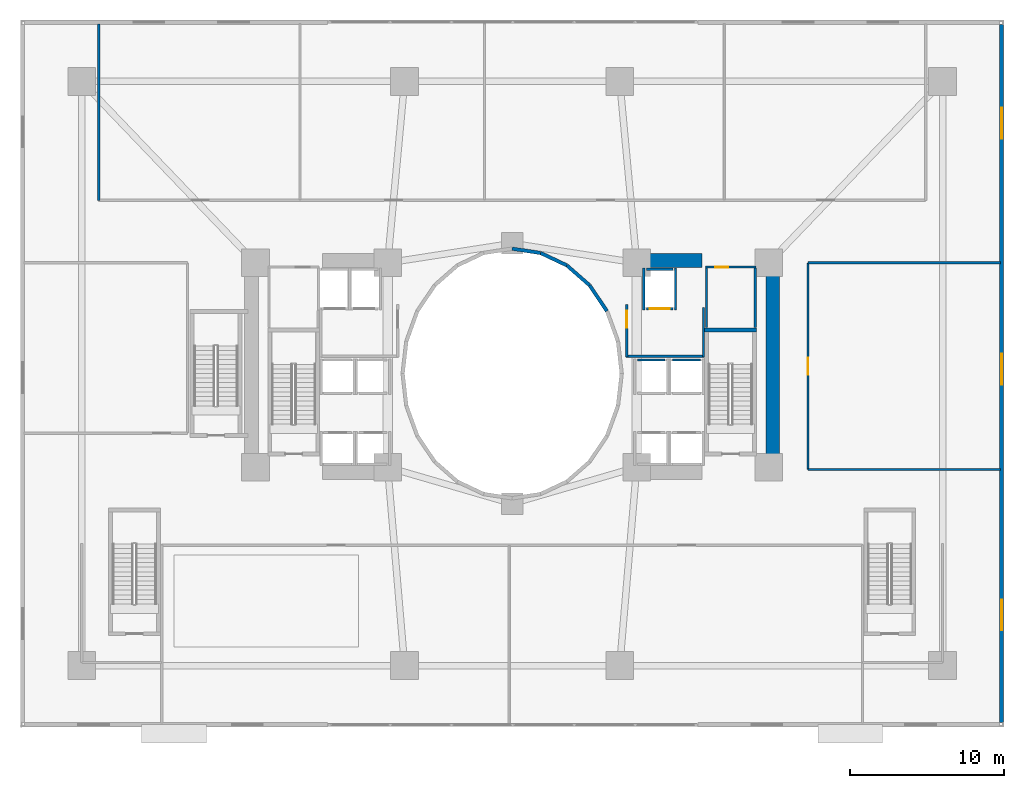
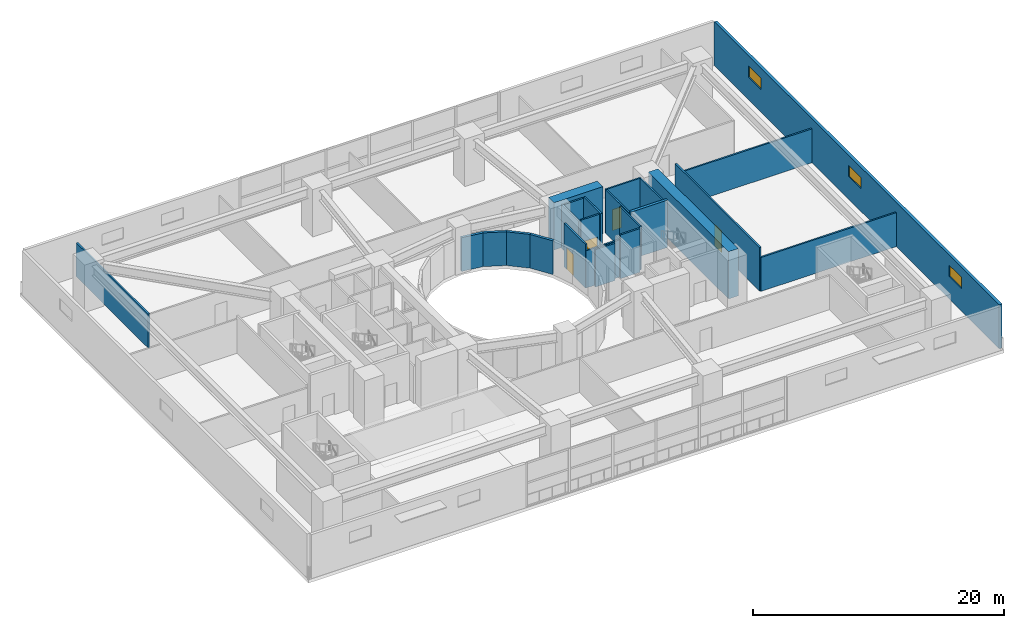
# One storey, part 13 of 20: 24 walls, 4 doors, 3 windows, 7 openings.
"""IFC4 building model written with IfcOpenShell, lengths in metres."""

from ifc_helpers import new_model, si_unit, direction, frame, frame_2d, origin, place, context, subcontext, project, spatial, rectangle, extrude, material, layer, layer_set, type_object, element, fill, save


model = new_model("IFC4")

# Units and contexts
model_context = context("Model", 3, precision=1e-05, world=origin(), true_north=direction((0.0, 1.0)))
body_context = subcontext(model_context, "Body", "Model", "MODEL_VIEW")
ifc_project = project(units=[si_unit("LENGTHUNIT", "METRE"), si_unit("AREAUNIT", "SQUARE_METRE"), si_unit("VOLUMEUNIT", "CUBIC_METRE"), si_unit("PLANEANGLEUNIT", "RADIAN"), si_unit("MASSUNIT", "GRAM", prefix="KILO")], contexts=[model_context])

# Site, building, storey
site_placement = place(None, origin())
site = spatial("IfcSite", under=ifc_project, at=site_placement, CompositionType="ELEMENT")
building_placement = place(site_placement, origin())
building = spatial("IfcBuilding", under=site, at=building_placement, Name="Solvane Sanctuary Tower", CompositionType="ELEMENT")
storey_placement = place(building_placement, frame((0.0, 0.0, 18.39990234375)))
storey = spatial("IfcBuildingStorey", under=building, at=storey_placement, Name="L05", CompositionType="ELEMENT", Elevation=18.39990234375)

# Walls
ifc_material_1 = material(Name="Concrete C70/85", Category="concrete")
ifc_layer_1 = layer(ifc_material_1, 0.89990234375, Name="Concrete C70/85")
ifc_layer_set_1 = layer_set([ifc_layer_1], Name="Concrete C70/85")
wall_type_1 = type_object("IfcWallType", Name="Wall W-CORE-900", PredefinedType="SHEAR", material=ifc_layer_set_1)
wall_1_placement = place(storey_placement, frame((48.949951171875, 17.050048828125, 0.0), z_axis=(0.0, 0.0, 1.0), x_axis=(0.0, 1.0, 0.0)))
element("IfcWall", 1, at=wall_1_placement, inside=storey, type_object=wall_type_1, Name="L05 Core Shear Wall EC-E", PredefinedType="SHEAR", context=body_context, shape_type="SweptSolid", body=[
    extrude(rectangle(XDim=12.800048828125, YDim=0.89990234375, at=frame_2d((6.39990234375, 0.0))), origin(), (0.0, 0.0, 1.0), 4.60009765625),
])
wall_2_placement = place(storey_placement, frame((39.85009765625, 30.35009765625, 0.0), z_axis=(0.0, 0.0, 1.0), x_axis=(1.0, 0.0, 0.0)))
element("IfcWall", 2, at=wall_2_placement, inside=storey, type_object=wall_type_1, Name="L05 Core Shear Wall EC-N", PredefinedType="SHEAR", context=body_context, shape_type="SweptSolid", body=[
    extrude(rectangle(XDim=4.5, YDim=0.89990234375, at=frame_2d((2.25, 0.0))), origin(), (0.0, 0.0, 1.0), 4.60009765625),
])
ifc_material_2 = material(Name="Acoustic Gypsum Partition Board")
ifc_layer_2 = layer(ifc_material_2, 0.14990234375, Name="Acoustic Gypsum Partition Board")
ifc_layer_set_2 = layer_set([ifc_layer_2], Name="Acoustic Gypsum Partition Board")
wall_type_2 = type_object("IfcWallType", Name="Wall W-CORR-150", PredefinedType="PARTITIONING", material=ifc_layer_set_2)
wall_3_placement = place(storey_placement, frame((39.39990234375, 24.1201171875, 0.0), z_axis=(0.0, 0.0, 1.0), x_axis=(1.0, 0.0, 0.0)))
element("IfcWall", 3, at=wall_3_placement, inside=storey, type_object=wall_type_2, Name="L05 East Firefighting Lobby South Wall", PredefinedType="PARTITIONING", context=body_context, shape_type="SweptSolid", body=[
    extrude(rectangle(XDim=5.080078125, YDim=0.14990234375, at=frame_2d((2.5400390625, 0.0))), origin(), (0.0, 0.0, 1.0), 3.6201171875),
])
wall_4_placement = place(storey_placement, frame((44.449951171875, 24.080078125, 0.0), z_axis=(0.0, 0.0, 1.0), x_axis=(0.0, 1.0, 0.0)))
element("IfcWall", 4, at=wall_4_placement, inside=storey, type_object=wall_type_2, Name="L05 East Firefighting Lobby East Wall", PredefinedType="PARTITIONING", context=body_context, shape_type="SweptSolid", body=[
    extrude(rectangle(XDim=3.199951171875, YDim=0.14990234375, at=frame_2d((1.60009765625, 0.0))), origin(), (0.0, 0.0, 1.0), 4.255126953125),
])

# Wall, opening, door
wall_5_placement = place(storey_placement, frame((39.449951171875, 24.080078125, 0.0), z_axis=(0.0, 0.0, 1.0), x_axis=(0.0, 1.0, 0.0)))
wall_5 = element("IfcWall", 5, at=wall_5_placement, inside=storey, type_object=wall_type_2, Name="L05 East Firefighting Lobby West Wall", PredefinedType="PARTITIONING", context=body_context, shape_type="SweptSolid", body=[
    extrude(rectangle(XDim=3.39990234375, YDim=0.14990234375, at=frame_2d((1.699951171875, 0.0))), origin(), (0.0, 0.0, 1.0), 4.255126953125),
])
opening_1_placement = place(wall_5_placement, frame((1.893798828125, 0.0, 0.0)))
opening_1 = element("IfcOpeningElement", 6, at=opening_1_placement, cuts=wall_5, Name="Opening D-L05-07", PredefinedType="OPENING", context=body_context, shape_type="SweptSolid", body=[
    extrude(rectangle(XDim=1.10009765625, YDim=2.10009765625, at=frame_2d((0.550048828125, 1.050048828125))), frame((0.0, 0.0849609375, 0.0), z_axis=(0.0, -1.0, 0.0), x_axis=(1.0, 0.0, 0.0)), (0.0, 0.0, 1.0), 0.169921875),
])
ifc_material_3 = material(Name="Architectural Stainless Steel 316", Category="steel")
door_type_1 = type_object("IfcDoorType", Name="Door D-FFL", OperationType="NOTDEFINED", PredefinedType="DOOR", material=ifc_material_3)
door_1_placement = place(opening_1_placement, origin())
door_1 = element("IfcDoor", 7, at=door_1_placement, inside=storey, type_object=door_type_1, Name="L05 East Firefighting Lobby Fire Door", OperationType="SINGLE_SWING_LEFT", OverallHeight=2.10009765625, OverallWidth=1.10009765625, PredefinedType="DOOR", context=body_context, shape_type="SweptSolid", body=[
    extrude(rectangle(XDim=1.10009765625, YDim=2.10009765625, at=frame_2d((0.550048828125, 1.050048828125))), frame((0.0, 0.02490234375, 0.0), z_axis=(0.0, -1.0, 0.0), x_axis=(1.0, 0.0, 0.0)), (0.0, 0.0, 1.0), 0.050048828125),
])
fill(opening_1, door_1)

# Wall
wall_6_placement = place(storey_placement, frame((5.10009765625, 34.27001953125, 0.0), z_axis=(0.0, 0.0, 1.0), x_axis=(0.0, 1.0, 0.0)))
element("IfcWall", 8, at=wall_6_placement, inside=storey, type_object=wall_type_2, Name="L05 North Hall West Wall", PredefinedType="PARTITIONING", context=body_context, shape_type="SweptSolid", body=[
    extrude(rectangle(XDim=11.47998046875, YDim=0.14990234375, at=frame_2d((5.739990234375, 0.0))), origin(), (0.0, 0.0, 1.0), 3.300048828125),
])

# Wall, opening, door
wall_7_placement = place(storey_placement, frame((51.25, 16.75, 0.0), z_axis=(0.0, 0.0, 1.0), x_axis=(0.0, 1.0, 0.0)))
wall_7 = element("IfcWall", 9, at=wall_7_placement, inside=storey, type_object=wall_type_2, Name="L05 East Sanctuary Corridor Wall", PredefinedType="PARTITIONING", context=body_context, shape_type="SweptSolid", body=[
    extrude(rectangle(XDim=13.449951171875, YDim=0.14990234375, at=frame_2d((6.72509765625, 0.0))), origin(), (0.0, 0.0, 1.0), 4.255126953125),
])
opening_2_placement = place(wall_7_placement, frame((6.175048828125, 0.0, 0.0)))
opening_2 = element("IfcOpeningElement", 10, at=opening_2_placement, cuts=wall_7, Name="Opening D-L05-14", PredefinedType="OPENING", context=body_context, shape_type="SweptSolid", body=[
    extrude(rectangle(XDim=1.10009765625, YDim=2.10009765625, at=frame_2d((0.550048828125, 1.050048828125))), frame((0.0, 0.0849609375, 0.0), z_axis=(0.0, -1.0, 0.0), x_axis=(1.0, 0.0, 0.0)), (0.0, 0.0, 1.0), 0.169921875),
])
door_2_placement = place(opening_2_placement, origin())
door_2 = element("IfcDoor", 11, at=door_2_placement, inside=storey, type_object=door_type_1, Name="L05 SACR Office Door", OperationType="SINGLE_SWING_RIGHT", OverallHeight=2.10009765625, OverallWidth=1.10009765625, PredefinedType="DOOR", context=body_context, shape_type="SweptSolid", body=[
    extrude(rectangle(XDim=1.10009765625, YDim=2.10009765625, at=frame_2d((0.550048828125, 1.050048828125))), frame((0.0, 0.02490234375, 0.0), z_axis=(0.0, -1.0, 0.0), x_axis=(1.0, 0.0, 0.0)), (0.0, 0.0, 1.0), 0.050048828125),
])
fill(opening_2, door_2)

# Walls
for number, where, z_axis, x_axis, name in (
    (12, (51.25, 16.75, 0.0), (0.0, 0.0, 1.0), (1.0, 0.0, 0.0), "L05 East Sanctuary South Wall"),
    (13, (51.25, 30.199951171875, 0.0), (0.0, 0.0, 1.0), (1.0, 0.0, 0.0), "L05 East Sanctuary North Wall"),
):
    element("IfcWall", number, at=place(storey_placement, frame(where, z_axis=z_axis, x_axis=x_axis)), inside=storey, type_object=wall_type_2, Name=name, PredefinedType="PARTITIONING", context=body_context, shape_type="SweptSolid", body=[
        extrude(rectangle(XDim=12.530029296875, YDim=0.14990234375, at=frame_2d((6.26513671875, 0.0))), origin(), (0.0, 0.0, 1.0), 3.300048828125),
    ])

# Wall, openings, windows
ifc_material_4 = material(Name="Precast concrete C40/50", Category="concrete")
ifc_layer_3 = layer(ifc_material_4, 0.260009765625, Name="Precast concrete C40/50")
ifc_layer_set_3 = layer_set([ifc_layer_3], Name="Precast concrete C40/50")
wall_type_3 = type_object("IfcWallType", Name="Wall W-EXT-250", PredefinedType="STANDARD", material=ifc_layer_set_3)
wall_8_placement = place(storey_placement, frame((63.85009765625, 0.280029296875, 0.0), z_axis=(0.0, 0.0, 1.0), x_axis=(0.0, 1.0, 0.0)))
wall_8 = element("IfcWall", 14, at=wall_8_placement, inside=storey, type_object=wall_type_3, Name="L05 Podium Facade Wall E1", PredefinedType="STANDARD", context=body_context, shape_type="SweptSolid", body=[
    extrude(rectangle(XDim=45.43994140625, YDim=0.260009765625, at=frame_2d((22.719970703125, 0.0))), origin(), (0.0, 0.0, 1.0), 4.280029296875),
])
opening_3_placement = place(wall_8_placement, frame((6.0, 0.0, 2.199951171875)))
opening_3 = element("IfcOpeningElement", 15, at=opening_3_placement, cuts=wall_8, Name="Opening WN-CLER-2000", PredefinedType="OPENING", context=body_context, shape_type="SweptSolid", body=[
    extrude(rectangle(XDim=2.0, YDim=1.10009765625, at=frame_2d((1.0, 0.550048828125))), frame((0.0, 0.139892578125, 0.0), z_axis=(0.0, -1.0, 0.0), x_axis=(1.0, 0.0, 0.0)), (0.0, 0.0, 1.0), 0.280029296875),
])
opening_4_placement = place(wall_8_placement, frame((22.0, 0.0, 2.199951171875)))
opening_4 = element("IfcOpeningElement", 16, at=opening_4_placement, cuts=wall_8, Name="Opening WN-CLER-2000", PredefinedType="OPENING", context=body_context, shape_type="SweptSolid", body=[
    extrude(rectangle(XDim=2.0, YDim=1.10009765625, at=frame_2d((1.0, 0.550048828125))), frame((0.0, 0.139892578125, 0.0), z_axis=(0.0, -1.0, 0.0), x_axis=(1.0, 0.0, 0.0)), (0.0, 0.0, 1.0), 0.280029296875),
])
opening_5_placement = place(wall_8_placement, frame((38.0, 0.0, 2.199951171875)))
opening_5 = element("IfcOpeningElement", 17, at=opening_5_placement, cuts=wall_8, Name="Opening WN-CLER-2000", PredefinedType="OPENING", context=body_context, shape_type="SweptSolid", body=[
    extrude(rectangle(XDim=2.0, YDim=1.10009765625, at=frame_2d((1.0, 0.550048828125))), frame((0.0, 0.139892578125, 0.0), z_axis=(0.0, -1.0, 0.0), x_axis=(1.0, 0.0, 0.0)), (0.0, 0.0, 1.0), 0.280029296875),
])
ifc_material_5 = material(Name="Dark Ceramic-Fritted Low-E Glass", Category="glass")
window_type = type_object("IfcWindowType", Name="Window WN-CLER-2000", PartitioningType="SINGLE_PANEL", PredefinedType="WINDOW", material=ifc_material_5)
window_1_placement = place(opening_3_placement, origin())
window_1 = element("IfcWindow", 18, at=window_1_placement, inside=storey, type_object=window_type, Name="L05 Podium Window E1-6", OverallHeight=1.10009765625, OverallWidth=2.0, PartitioningType="SINGLE_PANEL", PredefinedType="WINDOW", context=body_context, shape_type="SweptSolid", body=[
    extrude(rectangle(XDim=2.0, YDim=1.10009765625, at=frame_2d((1.0, 0.550048828125))), frame((0.0, 0.030029296875, 0.0), z_axis=(0.0, -1.0, 0.0), x_axis=(1.0, 0.0, 0.0)), (0.0, 0.0, 1.0), 0.06005859375),
])
fill(opening_3, window_1)
window_2_placement = place(opening_4_placement, origin())
window_2 = element("IfcWindow", 19, at=window_2_placement, inside=storey, type_object=window_type, Name="L05 Podium Window E1-22", OverallHeight=1.10009765625, OverallWidth=2.0, PartitioningType="SINGLE_PANEL", PredefinedType="WINDOW", context=body_context, shape_type="SweptSolid", body=[
    extrude(rectangle(XDim=2.0, YDim=1.10009765625, at=frame_2d((1.0, 0.550048828125))), frame((0.0, 0.030029296875, 0.0), z_axis=(0.0, -1.0, 0.0), x_axis=(1.0, 0.0, 0.0)), (0.0, 0.0, 1.0), 0.06005859375),
])
fill(opening_4, window_2)
window_3_placement = place(opening_5_placement, origin())
window_3 = element("IfcWindow", 20, at=window_3_placement, inside=storey, type_object=window_type, Name="L05 Podium Window E1-38", OverallHeight=1.10009765625, OverallWidth=2.0, PartitioningType="SINGLE_PANEL", PredefinedType="WINDOW", context=body_context, shape_type="SweptSolid", body=[
    extrude(rectangle(XDim=2.0, YDim=1.10009765625, at=frame_2d((1.0, 0.550048828125))), frame((0.0, 0.030029296875, 0.0), z_axis=(0.0, -1.0, 0.0), x_axis=(1.0, 0.0, 0.0)), (0.0, 0.0, 1.0), 0.06005859375),
])
fill(opening_5, window_3)

# Walls
ifc_layer_4 = layer(ifc_material_4, 0.22998046875, Name="Precast concrete C40/50")
ifc_layer_set_4 = layer_set([ifc_layer_4], Name="Precast concrete C40/50")
wall_type_4 = type_object("IfcWallType", Name="Wall W-EXT-SP220", PredefinedType="STANDARD", material=ifc_layer_set_4)
wall_9_placement = place(storey_placement, frame((38.166015625, 27.06005859375, 0.0), z_axis=(0.0, 0.0, 1.0), x_axis=(-0.558197800898, 0.829707909492, 0.0)))
element("IfcWall", 21, at=wall_9_placement, inside=storey, type_object=wall_type_4, Name="L05 Light-Well Enclosure Wall 02", PredefinedType="STANDARD", context=body_context, shape_type="SweptSolid", body=[
    extrude(rectangle(XDim=2.02685546875, YDim=0.22998046875, at=frame_2d((1.013427734375, 0.0))), origin(), (0.0, 0.0, 1.0), 3.280029296875),
])
wall_10_placement = place(storey_placement, frame((37.03466796875, 28.74169921875, 0.0), z_axis=(0.0, 0.0, 1.0), x_axis=(-0.752576694707, 0.658504607869, 0.0)))
element("IfcWall", 22, at=wall_10_placement, inside=storey, type_object=wall_type_4, Name="L05 Light-Well Enclosure Wall 03", PredefinedType="STANDARD", context=body_context, shape_type="SweptSolid", body=[
    extrude(rectangle(XDim=1.95947265625, YDim=0.22998046875, at=frame_2d((0.979736328125, 0.0))), origin(), (0.0, 0.0, 1.0), 3.280029296875),
])
wall_11_placement = place(storey_placement, frame((35.56005859375, 30.031982421875, 0.0), z_axis=(0.0, 0.0, 1.0), x_axis=(-0.904179699603, 0.427152280606, 0.0)))
element("IfcWall", 23, at=wall_11_placement, inside=storey, type_object=wall_type_4, Name="L05 Light-Well Enclosure Wall 04", PredefinedType="STANDARD", context=body_context, shape_type="SweptSolid", body=[
    extrude(rectangle(XDim=1.899169921875, YDim=0.22998046875, at=frame_2d((0.94970703125, 0.0))), origin(), (0.0, 0.0, 1.0), 3.280029296875),
])
wall_12_placement = place(storey_placement, frame((33.8427734375, 30.84326171875, 0.0), z_axis=(0.0, 0.0, 1.0), x_axis=(-0.988901730308, 0.148571086668, 0.0)))
element("IfcWall", 24, at=wall_12_placement, inside=storey, type_object=wall_type_4, Name="L05 Light-Well Enclosure Wall 05", PredefinedType="STANDARD", context=body_context, shape_type="SweptSolid", body=[
    extrude(rectangle(XDim=1.863525390625, YDim=0.22998046875, at=frame_2d((0.931640625, 0.0))), origin(), (0.0, 0.0, 1.0), 3.280029296875),
])
ifc_material_6 = material(Name="Concrete C50/60", Category="concrete")
ifc_layer_5 = layer(ifc_material_6, 0.14990234375, Name="Concrete C50/60")
ifc_layer_set_5 = layer_set([ifc_layer_5], Name="Concrete C50/60")
wall_type_5 = type_object("IfcWallType", Name="Wall W-SHAFT-150", PredefinedType="SOLIDWALL", material=ifc_layer_set_5)
wall_13_placement = place(storey_placement, frame((42.43994140625, 23.8798828125, 0.0), z_axis=(0.0, 0.0, 1.0), x_axis=(1.0, 0.0, 0.0)))
element("IfcWall", 25, at=wall_13_placement, inside=storey, type_object=wall_type_5, Name="L05 PM-2 Lift Shaft Wall B", PredefinedType="SOLIDWALL", context=body_context, shape_type="SweptSolid", body=[
    extrude(rectangle(XDim=1.820068359375, YDim=0.14990234375, at=frame_2d((0.91015625, 0.0))), origin(), (0.0, 0.0, 1.0), 4.255126953125),
])
wall_14_placement = place(storey_placement, frame((40.139892578125, 23.8798828125, 0.0), z_axis=(0.0, 0.0, 1.0), x_axis=(1.0, 0.0, 0.0)))
element("IfcWall", 26, at=wall_14_placement, inside=storey, type_object=wall_type_5, Name="L05 PH-2 Lift Shaft Wall B", PredefinedType="SOLIDWALL", context=body_context, shape_type="SweptSolid", body=[
    extrude(rectangle(XDim=1.820068359375, YDim=0.14990234375, at=frame_2d((0.91015625, 0.0))), origin(), (0.0, 0.0, 1.0), 3.6201171875),
])

# Wall, opening, door
wall_15_placement = place(storey_placement, frame((40.739990234375, 27.219970703125, 0.0), z_axis=(0.0, 0.0, 1.0), x_axis=(1.0, 0.0, 0.0)))
wall_15 = element("IfcWall", 27, at=wall_15_placement, inside=storey, type_object=wall_type_5, Name="L05 FFL-2 Lift Shaft Wall F", PredefinedType="SOLIDWALL", context=body_context, shape_type="SweptSolid", body=[
    extrude(rectangle(XDim=1.719970703125, YDim=0.14990234375, at=frame_2d((0.85986328125, 0.0))), origin(), (0.0, 0.0, 1.0), 4.255126953125),
])
opening_6_placement = place(wall_15_placement, frame((0.2099609375, 0.0, 0.0)))
opening_6 = element("IfcOpeningElement", 28, at=opening_6_placement, cuts=wall_15, Name="Opening LD-L05-07", PredefinedType="OPENING", context=body_context, shape_type="SweptSolid", body=[
    extrude(rectangle(XDim=1.300048828125, YDim=2.10009765625, at=frame_2d((0.64990234375, 1.050048828125))), frame((0.0, 0.0849609375, 0.0), z_axis=(0.0, -1.0, 0.0), x_axis=(1.0, 0.0, 0.0)), (0.0, 0.0, 1.0), 0.169921875),
])
door_type_2 = type_object("IfcDoorType", Name="Door LD-FFL-1300", OperationType="NOTDEFINED", PredefinedType="DOOR", material=ifc_material_3)
door_3_placement = place(opening_6_placement, origin())
door_3 = element("IfcDoor", 29, at=door_3_placement, inside=storey, type_object=door_type_2, Name="L05 FFL-2 Lift Landing Door", OperationType="DOUBLE_DOOR_SLIDING", OverallHeight=2.10009765625, OverallWidth=1.300048828125, PredefinedType="DOOR", context=body_context, shape_type="SweptSolid", body=[
    extrude(rectangle(XDim=1.300048828125, YDim=2.10009765625, at=frame_2d((0.64990234375, 1.050048828125))), frame((0.0, 0.02490234375, 0.0), z_axis=(0.0, -1.0, 0.0), x_axis=(1.0, 0.0, 0.0)), (0.0, 0.0, 1.0), 0.050048828125),
])
fill(opening_6, door_3)

# Walls
wall_16_placement = place(storey_placement, frame((40.739990234375, 29.780029296875, 0.0), z_axis=(0.0, 0.0, 1.0), x_axis=(1.0, 0.0, 0.0)))
element("IfcWall", 30, at=wall_16_placement, inside=storey, type_object=wall_type_5, Name="L05 FFL-2 Lift Shaft Wall B", PredefinedType="SOLIDWALL", context=body_context, shape_type="SweptSolid", body=[
    extrude(rectangle(XDim=1.719970703125, YDim=0.14990234375, at=frame_2d((0.85986328125, 0.0))), origin(), (0.0, 0.0, 1.0), 4.255126953125),
])
for number, where, z_axis, x_axis, name in (
    (31, (40.570068359375, 27.139892578125, 0.0), (0.0, 0.0, 1.0), (0.0, 1.0, 0.0), "L05 FFL-2 Lift Shaft Wall S1"),
    (32, (42.6298828125, 27.139892578125, 0.0), (0.0, 0.0, 1.0), (0.0, 1.0, 0.0), "L05 FFL-2 Lift Shaft Wall S2"),
):
    element("IfcWall", number, at=place(storey_placement, frame(where, z_axis=z_axis, x_axis=x_axis)), inside=storey, type_object=wall_type_5, Name=name, PredefinedType="SOLIDWALL", context=body_context, shape_type="SweptSolid", body=[
        extrude(rectangle(XDim=2.72021484375, YDim=0.14990234375, at=frame_2d((1.360107421875, 0.0))), origin(), (0.0, 0.0, 1.0), 4.255126953125),
    ])
ifc_layer_6 = layer(ifc_material_6, 0.25, Name="Concrete C50/60")
ifc_layer_set_6 = layer_set([ifc_layer_6], Name="Concrete C50/60")
wall_type_6 = type_object("IfcWallType", Name="Wall W-SHAFT-250", PredefinedType="SOLIDWALL", material=ifc_layer_set_6)
wall_17_placement = place(storey_placement, frame((44.52490234375, 25.830078125, 0.0), z_axis=(0.0, 0.0, 1.0), x_axis=(1.0, 0.0, 0.0)))
element("IfcWall", 33, at=wall_17_placement, inside=storey, type_object=wall_type_6, Name="L05 ST-2 Load-Bearing Shaft Wall N", PredefinedType="SOLIDWALL", context=body_context, shape_type="SweptSolid", body=[
    extrude(rectangle(XDim=3.3701171875, YDim=0.25, at=frame_2d((1.68505859375, 0.0))), origin(), (0.0, 0.0, 1.0), 4.60009765625),
])

# Wall, opening, door
ifc_layer_7 = layer(ifc_material_2, 0.139892578125, Name="Acoustic Gypsum Partition Board")
ifc_layer_set_7 = layer_set([ifc_layer_7], Name="Acoustic Gypsum Partition Board")
wall_type_7 = type_object("IfcWallType", Name="Wall W-WET-140", PredefinedType="PLUMBINGWALL", material=ifc_layer_set_7)
wall_18_placement = place(storey_placement, frame((44.580078125, 29.919921875, 0.0), z_axis=(0.0, 0.0, 1.0), x_axis=(1.0, 0.0, 0.0)))
wall_18 = element("IfcWall", 34, at=wall_18_placement, inside=storey, type_object=wall_type_7, Name="L05 Core Store Front Wall", PredefinedType="PLUMBINGWALL", context=body_context, shape_type="SweptSolid", body=[
    extrude(rectangle(XDim=3.2998046875, YDim=0.139892578125, at=frame_2d((1.64990234375, 0.0))), origin(), (0.0, 0.0, 1.0), 4.255126953125),
])
opening_7_placement = place(wall_18_placement, frame((0.643310546875, 0.0, 0.0)))
opening_7 = element("IfcOpeningElement", 35, at=opening_7_placement, cuts=wall_18, Name="Opening D-L05-17", PredefinedType="OPENING", context=body_context, shape_type="SweptSolid", body=[
    extrude(rectangle(XDim=0.85009765625, YDim=2.050048828125, at=frame_2d((0.425048828125, 1.02490234375))), frame((0.0, 0.079833984375, 0.0), z_axis=(0.0, -1.0, 0.0), x_axis=(1.0, 0.0, 0.0)), (0.0, 0.0, 1.0), 0.159912109375),
])
door_type_3 = type_object("IfcDoorType", Name="Door D-RISER", OperationType="NOTDEFINED", PredefinedType="DOOR", material=ifc_material_3)
door_4_placement = place(opening_7_placement, origin())
door_4 = element("IfcDoor", 36, at=door_4_placement, inside=storey, type_object=door_type_3, Name="L05 Core Store Door", OperationType="SINGLE_SWING_LEFT", OverallHeight=2.050048828125, OverallWidth=0.85009765625, PredefinedType="DOOR", context=body_context, shape_type="SweptSolid", body=[
    extrude(rectangle(XDim=0.85009765625, YDim=2.050048828125, at=frame_2d((0.425048828125, 1.02490234375))), frame((0.0, 0.02490234375, 0.0), z_axis=(0.0, -1.0, 0.0), x_axis=(1.0, 0.0, 0.0)), (0.0, 0.0, 1.0), 0.050048828125),
])
fill(opening_7, door_4)

# Walls
for number, where, z_axis, x_axis, name in (
    (37, (44.639892578125, 25.97998046875, 0.0), (0.0, 0.0, 1.0), (0.0, 1.0, 0.0), "L05 Core Store West Wall"),
    (38, (47.820068359375, 25.97998046875, 0.0), (0.0, 0.0, 1.0), (0.0, 1.0, 0.0), "L05 Core Store East Wall"),
):
    element("IfcWall", number, at=place(storey_placement, frame(where, z_axis=z_axis, x_axis=x_axis)), inside=storey, type_object=wall_type_7, Name=name, PredefinedType="PLUMBINGWALL", context=body_context, shape_type="SweptSolid", body=[
        extrude(rectangle(XDim=3.880126953125, YDim=0.139892578125, at=frame_2d((1.93994140625, 0.0))), origin(), (0.0, 0.0, 1.0), 4.255126953125),
    ])

save(model, "model.ifc")
